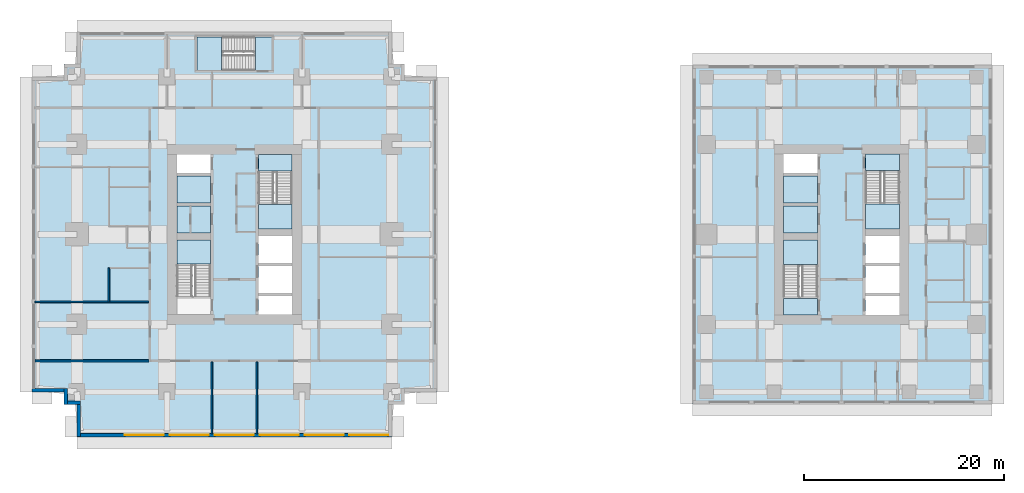
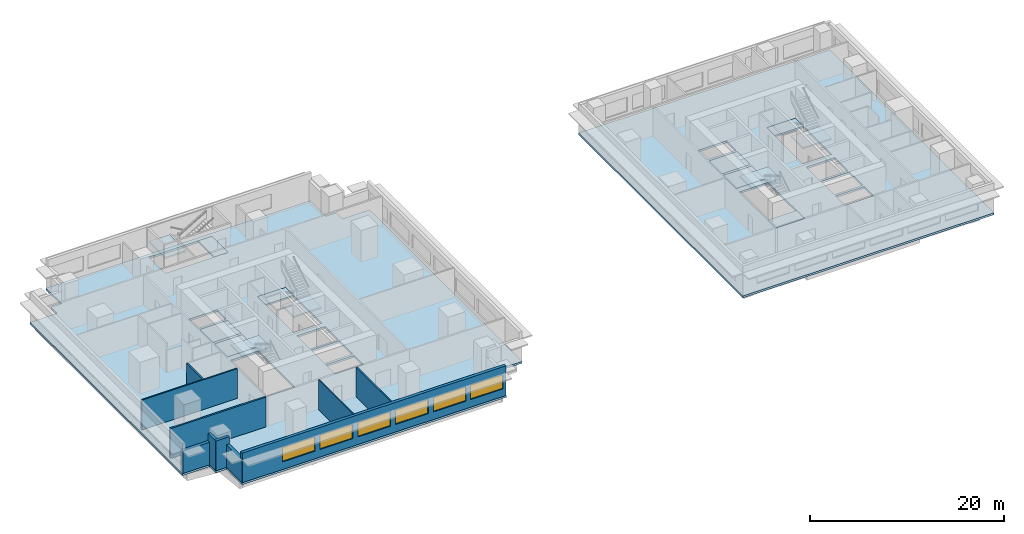
# One storey, part 2 of 11: 15 slabs, 10 walls, 6 windows, 6 openings, 5 elements without a shape of their own.
"""IFC4 building model written with IfcOpenShell, lengths in metres."""

from ifc_helpers import new_model, si_unit, direction, frame, frame_2d, origin, place, context, subcontext, project, spatial, polyline, rectangle, outline, extrude, material, layer, layer_set, type_object, element, fill, aggregate, save


model = new_model("IFC4")

# Units and contexts
model_context = context("Model", 3, precision=1e-05, world=origin(), true_north=direction((0.0, 1.0)))
body_context = subcontext(model_context, "Body", "Model", "MODEL_VIEW")
ifc_project = project(units=[si_unit("LENGTHUNIT", "METRE"), si_unit("AREAUNIT", "SQUARE_METRE"), si_unit("VOLUMEUNIT", "CUBIC_METRE"), si_unit("PLANEANGLEUNIT", "RADIAN"), si_unit("MASSUNIT", "GRAM", prefix="KILO")], contexts=[model_context])

# Site, building, storey
site_placement = place(None, origin())
site = spatial("IfcSite", under=ifc_project, at=site_placement, CompositionType="ELEMENT")
building_placement = place(site_placement, origin())
building = spatial("IfcBuilding", under=site, at=building_placement, Name="Namib Vertical Campus", CompositionType="ELEMENT")
storey_placement = place(building_placement, frame((0.0, 0.0, 189.0)))
storey = spatial("IfcBuildingStorey", under=building, at=storey_placement, Name="L44", CompositionType="ELEMENT", Elevation=189.0)

# Slabs
ifc_material_1 = material(Name="Concrete C40/50", Category="concrete")
ifc_layer_1 = layer(ifc_material_1, 0.25)
ifc_layer_set_1 = layer_set([ifc_layer_1], Name="Concrete C40/50")
slab_type_1 = type_object("IfcSlabType", Name="Floor slab 250", PredefinedType="FLOOR", material=ifc_layer_set_1)
slab_1_placement = place(storey_placement, frame((0.0, 0.0, -0.25)))
element("IfcSlab", 1, at=slab_1_placement, inside=storey, type_object=slab_type_1, Name="Floor slab A L44", PredefinedType="FLOOR", context=body_context, shape_type="SweptSolid", body=[
    extrude(outline(polyline([(4.5, 0.0), (36.0, 0.0), (36.0, 3.22509765625), (37.27490234375, 3.22509765625), (37.27490234375, 4.5), (40.5, 4.5), (40.5, 36.0), (37.27490234375, 36.0), (37.27490234375, 37.27490234375), (36.0, 37.27490234375), (36.0, 40.5), (4.5, 40.5), (4.5, 37.27490234375), (3.22509765625, 37.27490234375), (3.22509765625, 36.0), (0.0, 36.0), (0.0, 4.5), (3.22509765625, 4.5), (3.22509765625, 3.22509765625), (4.5, 3.22509765625), (4.5, 0.0)]), holes=[polyline([(14.5, 12.25), (17.85009765625, 12.25), (17.85009765625, 19.699951171875), (14.5, 19.699951171875), (14.5, 12.25)]), polyline([(22.64990234375, 20.800048828125), (26.0, 20.800048828125), (26.0, 28.25), (22.64990234375, 28.25), (22.64990234375, 20.800048828125)]), polyline([(22.64990234375, 12.25), (26.0, 12.25), (26.0, 14.10009765625), (22.64990234375, 14.10009765625), (22.64990234375, 12.25)]), polyline([(14.5, 20.39990234375), (17.85009765625, 20.39990234375), (17.85009765625, 23.10009765625), (14.5, 23.10009765625), (14.5, 20.39990234375)]), polyline([(14.5, 23.39990234375), (17.85009765625, 23.39990234375), (17.85009765625, 26.10009765625), (14.5, 26.10009765625), (14.5, 23.39990234375)]), polyline([(14.5, 26.39990234375), (17.85009765625, 26.39990234375), (17.85009765625, 28.25), (14.5, 28.25), (14.5, 26.39990234375)]), polyline([(22.64990234375, 14.39990234375), (26.0, 14.39990234375), (26.0, 17.10009765625), (22.64990234375, 17.10009765625), (22.64990234375, 14.39990234375)]), polyline([(22.64990234375, 17.39990234375), (26.0, 17.39990234375), (26.0, 20.10009765625), (22.64990234375, 20.10009765625), (22.64990234375, 17.39990234375)]), polyline([(16.5, 36.64990234375), (24.0, 36.64990234375), (24.0, 40.0), (16.5, 40.0), (16.5, 36.64990234375)])]), origin(), (0.0, 0.0, 1.0), 0.25),
])
slab_2_placement = place(storey_placement, frame((0.0, 0.0, -0.25)))
element("IfcSlab", 2, at=slab_2_placement, inside=storey, type_object=slab_type_1, Name="Floor slab B L44", PredefinedType="FLOOR", context=body_context, shape_type="SweptSolid", body=[
    extrude(outline(polyline([(66.10009765625, 3.300048828125), (96.050048828125, 3.300048828125), (96.050048828125, 37.199951171875), (66.10009765625, 37.199951171875), (66.10009765625, 3.300048828125)]), holes=[polyline([(75.199951171875, 12.199951171875), (78.60009765625, 12.199951171875), (78.60009765625, 19.699951171875), (75.199951171875, 19.699951171875), (75.199951171875, 12.199951171875)]), polyline([(83.39990234375, 20.800048828125), (86.800048828125, 20.800048828125), (86.800048828125, 28.300048828125), (83.39990234375, 28.300048828125), (83.39990234375, 20.800048828125)]), polyline([(83.39990234375, 12.199951171875), (86.800048828125, 12.199951171875), (86.800048828125, 14.10009765625), (83.39990234375, 14.10009765625), (83.39990234375, 12.199951171875)]), polyline([(75.199951171875, 20.39990234375), (78.60009765625, 20.39990234375), (78.60009765625, 23.10009765625), (75.199951171875, 23.10009765625), (75.199951171875, 20.39990234375)]), polyline([(75.199951171875, 23.39990234375), (78.60009765625, 23.39990234375), (78.60009765625, 26.10009765625), (75.199951171875, 26.10009765625), (75.199951171875, 23.39990234375)]), polyline([(75.199951171875, 26.39990234375), (78.60009765625, 26.39990234375), (78.60009765625, 28.300048828125), (75.199951171875, 28.300048828125), (75.199951171875, 26.39990234375)]), polyline([(83.39990234375, 14.39990234375), (86.800048828125, 14.39990234375), (86.800048828125, 17.10009765625), (83.39990234375, 17.10009765625), (83.39990234375, 14.39990234375)]), polyline([(83.39990234375, 17.39990234375), (86.800048828125, 17.39990234375), (86.800048828125, 20.10009765625), (83.39990234375, 20.10009765625), (83.39990234375, 17.39990234375)])]), origin(), (0.0, 0.0, 1.0), 0.25),
])
ifc_material_2 = material(Name="Concrete C40/50 precast", Category="concrete")
ifc_layer_2 = layer(ifc_material_2, 0.25)
ifc_layer_set_2 = layer_set([ifc_layer_2], Name="Concrete C40/50 precast")
slab_type_2 = type_object("IfcSlabType", Name="Shaft infill floor 250", PredefinedType="FLOOR", material=ifc_layer_set_2)
slab_3_placement = place(storey_placement, frame((0.0, 0.0, -0.25)))
element("IfcSlab", 3, at=slab_3_placement, inside=storey, type_object=slab_type_2, Name="Shaft infill floor A L44 P1", PredefinedType="FLOOR", context=body_context, shape_type="SweptSolid", body=[
    extrude(outline(polyline([(14.5, 20.39990234375), (17.85009765625, 20.39990234375), (17.85009765625, 23.10009765625), (14.5, 23.10009765625), (14.5, 20.39990234375)])), origin(), (0.0, 0.0, 1.0), 0.25),
])
slab_4_placement = place(storey_placement, frame((0.0, 0.0, -0.25)))
element("IfcSlab", 4, at=slab_4_placement, inside=storey, type_object=slab_type_2, Name="Shaft infill floor A L44 P2", PredefinedType="FLOOR", context=body_context, shape_type="SweptSolid", body=[
    extrude(outline(polyline([(14.5, 23.39990234375), (17.85009765625, 23.39990234375), (17.85009765625, 26.10009765625), (14.5, 26.10009765625), (14.5, 23.39990234375)])), origin(), (0.0, 0.0, 1.0), 0.25),
])
slab_5_placement = place(storey_placement, frame((0.0, 0.0, -0.25)))
element("IfcSlab", 5, at=slab_5_placement, inside=storey, type_object=slab_type_2, Name="Shaft infill floor B L44 P1", PredefinedType="FLOOR", context=body_context, shape_type="SweptSolid", body=[
    extrude(outline(polyline([(75.199951171875, 20.39990234375), (78.60009765625, 20.39990234375), (78.60009765625, 23.10009765625), (75.199951171875, 23.10009765625), (75.199951171875, 20.39990234375)])), origin(), (0.0, 0.0, 1.0), 0.25),
])
slab_6_placement = place(storey_placement, frame((0.0, 0.0, -0.25)))
element("IfcSlab", 6, at=slab_6_placement, inside=storey, type_object=slab_type_2, Name="Shaft infill floor B L44 P2", PredefinedType="FLOOR", context=body_context, shape_type="SweptSolid", body=[
    extrude(outline(polyline([(75.199951171875, 23.39990234375), (78.60009765625, 23.39990234375), (78.60009765625, 26.10009765625), (75.199951171875, 26.10009765625), (75.199951171875, 23.39990234375)])), origin(), (0.0, 0.0, 1.0), 0.25),
])

# Stair, slab
ifc_material_3 = material(Name="Concrete C40/50 precast", Category="concrete")
stair_type_1 = type_object("IfcStairType", Name="Exit stair 4000 rise 24 risers 3350 wide", PredefinedType="HALF_TURN_STAIR", material=ifc_material_3)
stair_1_placement = place(storey_placement, origin())
stair_1 = element("IfcStair", 7, at=stair_1_placement, inside=storey, type_object=stair_type_1, Name="Exit stair A-S1 L44", PredefinedType="HALF_TURN_STAIR")
ifc_material_4 = material(Name="Concrete C40/50", Category="concrete")
ifc_layer_3 = layer(ifc_material_4, 0.199951171875)
ifc_layer_set_3 = layer_set([ifc_layer_3], Name="Concrete C40/50")
slab_type_3 = type_object("IfcSlabType", Name="Stair landing 200", PredefinedType="LANDING", material=ifc_layer_set_3)
slab_7_placement = place(storey_placement, frame((0.0, 0.0, 1.800048828125)))
slab_7 = element("IfcSlab", 8, at=slab_7_placement, type_object=slab_type_3, Name="A-S1 landing 2", PredefinedType="LANDING", context=body_context, shape_type="SweptSolid", body=[
    extrude(outline(polyline([(14.5, 17.276123046875), (17.85009765625, 17.276123046875), (17.85009765625, 19.699951171875), (14.5, 19.699951171875), (14.5, 17.276123046875)])), origin(), (0.0, 0.0, 1.0), 0.199951171875),
])
aggregate(stair_1, [slab_7])

# Stair, slabs
stair_2_placement = place(storey_placement, origin())
stair_2 = element("IfcStair", 9, at=stair_2_placement, inside=storey, type_object=stair_type_1, Name="Exit stair A-S2 L44", PredefinedType="HALF_TURN_STAIR")
slab_8_placement = place(storey_placement, frame((0.0, 0.0, -0.199951171875)))
slab_8 = element("IfcSlab", 10, at=slab_8_placement, type_object=slab_type_3, Name="A-S2 landing 1", PredefinedType="LANDING", context=body_context, shape_type="SweptSolid", body=[
    extrude(outline(polyline([(22.64990234375, 26.59619140625), (26.0, 26.59619140625), (26.0, 28.25), (22.64990234375, 28.25), (22.64990234375, 26.59619140625)])), origin(), (0.0, 0.0, 1.0), 0.199951171875),
])
slab_9_placement = place(storey_placement, frame((0.0, 0.0, 1.800048828125)))
slab_9 = element("IfcSlab", 11, at=slab_9_placement, type_object=slab_type_3, Name="A-S2 landing 2", PredefinedType="LANDING", context=body_context, shape_type="SweptSolid", body=[
    extrude(outline(polyline([(22.64990234375, 20.800048828125), (26.0, 20.800048828125), (26.0, 23.223876953125), (22.64990234375, 23.223876953125), (22.64990234375, 20.800048828125)])), origin(), (0.0, 0.0, 1.0), 0.199951171875),
])
aggregate(stair_2, [slab_8, slab_9])

ifc_material_5 = material(Name="Concrete C40/50 precast", Category="concrete")
stair_type_2 = type_object("IfcStairType", Name="Exit stair 4000 rise 24 risers 3400 wide", PredefinedType="HALF_TURN_STAIR", material=ifc_material_5)
stair_3_placement = place(storey_placement, origin())
stair_3 = element("IfcStair", 12, at=stair_3_placement, inside=storey, type_object=stair_type_2, Name="Exit stair B-S1 L44", PredefinedType="HALF_TURN_STAIR")
slab_10_placement = place(storey_placement, frame((0.0, 0.0, -0.199951171875)))
slab_10 = element("IfcSlab", 13, at=slab_10_placement, type_object=slab_type_3, Name="B-S1 landing 1", PredefinedType="LANDING", context=body_context, shape_type="SweptSolid", body=[
    extrude(outline(polyline([(75.199951171875, 12.199951171875), (78.60009765625, 12.199951171875), (78.60009765625, 13.85400390625), (75.199951171875, 13.85400390625), (75.199951171875, 12.199951171875)])), origin(), (0.0, 0.0, 1.0), 0.199951171875),
])
slab_11_placement = place(storey_placement, frame((0.0, 0.0, 1.800048828125)))
slab_11 = element("IfcSlab", 14, at=slab_11_placement, type_object=slab_type_3, Name="B-S1 landing 2", PredefinedType="LANDING", context=body_context, shape_type="SweptSolid", body=[
    extrude(outline(polyline([(75.199951171875, 17.22607421875), (78.60009765625, 17.22607421875), (78.60009765625, 19.699951171875), (75.199951171875, 19.699951171875), (75.199951171875, 17.22607421875)])), origin(), (0.0, 0.0, 1.0), 0.199951171875),
])
aggregate(stair_3, [slab_10, slab_11])

stair_4_placement = place(storey_placement, origin())
stair_4 = element("IfcStair", 15, at=stair_4_placement, inside=storey, type_object=stair_type_2, Name="Exit stair B-S2 L44", PredefinedType="HALF_TURN_STAIR")
slab_12_placement = place(storey_placement, frame((0.0, 0.0, -0.199951171875)))
slab_12 = element("IfcSlab", 16, at=slab_12_placement, type_object=slab_type_3, Name="B-S2 landing 1", PredefinedType="LANDING", context=body_context, shape_type="SweptSolid", body=[
    extrude(outline(polyline([(83.39990234375, 26.64599609375), (86.800048828125, 26.64599609375), (86.800048828125, 28.300048828125), (83.39990234375, 28.300048828125), (83.39990234375, 26.64599609375)])), origin(), (0.0, 0.0, 1.0), 0.199951171875),
])
slab_13_placement = place(storey_placement, frame((0.0, 0.0, 1.800048828125)))
slab_13 = element("IfcSlab", 17, at=slab_13_placement, type_object=slab_type_3, Name="B-S2 landing 2", PredefinedType="LANDING", context=body_context, shape_type="SweptSolid", body=[
    extrude(outline(polyline([(83.39990234375, 20.800048828125), (86.800048828125, 20.800048828125), (86.800048828125, 23.27392578125), (83.39990234375, 23.27392578125), (83.39990234375, 20.800048828125)])), origin(), (0.0, 0.0, 1.0), 0.199951171875),
])
aggregate(stair_4, [slab_12, slab_13])

stair_5_placement = place(storey_placement, origin())
stair_5 = element("IfcStair", 18, at=stair_5_placement, inside=storey, type_object=stair_type_1, Name="Exit stair A-S3 L44", PredefinedType="HALF_TURN_STAIR")
slab_14_placement = place(storey_placement, frame((0.0, 0.0, -0.199951171875)))
slab_14 = element("IfcSlab", 19, at=slab_14_placement, type_object=slab_type_3, Name="A-S3 landing 1", PredefinedType="LANDING", context=body_context, shape_type="SweptSolid", body=[
    extrude(outline(polyline([(22.34619140625, 36.64990234375), (22.34619140625, 40.0), (24.0, 40.0), (24.0, 36.64990234375), (22.34619140625, 36.64990234375)])), origin(), (0.0, 0.0, 1.0), 0.199951171875),
])
slab_15_placement = place(storey_placement, frame((0.0, 0.0, 1.800048828125)))
slab_15 = element("IfcSlab", 20, at=slab_15_placement, type_object=slab_type_3, Name="A-S3 landing 2", PredefinedType="LANDING", context=body_context, shape_type="SweptSolid", body=[
    extrude(outline(polyline([(16.5, 36.64990234375), (16.5, 40.0), (18.973876953125, 40.0), (18.973876953125, 36.64990234375), (16.5, 36.64990234375)])), origin(), (0.0, 0.0, 1.0), 0.199951171875),
])
aggregate(stair_5, [slab_14, slab_15])

# Wall
ifc_material_6 = material(Name="Concrete masonry", Category="masonry")
ifc_layer_4 = layer(ifc_material_6, 0.199951171875)
ifc_layer_set_4 = layer_set([ifc_layer_4], Name="Corridor wall 200")
wall_type_1 = type_object("IfcWallType", Name="Corridor wall 200", PredefinedType="SOLIDWALL", material=ifc_layer_set_4)
wall_1_placement = place(storey_placement, frame((0.300048828125, 7.60009765625, 0.0), z_axis=(0.0, 0.0, 1.0), x_axis=(1.0, 0.0, 0.0)))
element("IfcWall", 21, at=wall_1_placement, inside=storey, type_object=wall_type_1, Name="Partition A L44 BSW", PredefinedType="SOLIDWALL", context=body_context, shape_type="SweptSolid", body=[
    extrude(rectangle(XDim=11.39990234375, YDim=0.199951171875, at=frame_2d((5.699951171875, 0.0))), origin(), (0.0, 0.0, 1.0), 3.75),
])

# Wall, openings, windows
ifc_material_7 = material(Name="Concrete C40/50", Category="concrete")
ifc_layer_5 = layer(ifc_material_7, 0.35009765625)
ifc_layer_set_5 = layer_set([ifc_layer_5], Name="Concrete C40/50")
wall_type_2 = type_object("IfcWallType", Name="External wall 350 bush-hammered concrete", PredefinedType="STANDARD", material=ifc_layer_set_5)
wall_2_placement = place(storey_placement, frame((4.52001953125, 0.175048828125, 0.0), z_axis=(0.0, 0.0, 1.0), x_axis=(1.0, 0.0, 0.0)))
wall_2 = element("IfcWall", 22, at=wall_2_placement, inside=storey, type_object=wall_type_2, Name="External wall L44 F01", PredefinedType="STANDARD", context=body_context, shape_type="SweptSolid", body=[
    extrude(rectangle(XDim=31.4599609375, YDim=0.35009765625, at=frame_2d((15.72998046875, 0.0))), origin(), (0.0, 0.0, 1.0), 3.75),
])
opening_1_placement = place(wall_2_placement, frame((4.780029296875, 0.0, 0.949951171875)))
opening_1 = element("IfcOpeningElement", 23, at=opening_1_placement, cuts=wall_2, Name="Opening W3", PredefinedType="OPENING", context=body_context, shape_type="SweptSolid", body=[
    extrude(rectangle(XDim=3.89990234375, YDim=1.800048828125, at=frame_2d((1.949951171875, 0.89990234375))), frame((0.0, 0.18505859375, 0.0), z_axis=(0.0, -1.0, 0.0), x_axis=(1.0, 0.0, 0.0)), (0.0, 0.0, 1.0), 0.3701171875),
])
opening_2_placement = place(wall_2_placement, frame((9.280029296875, 0.0, 0.949951171875)))
opening_2 = element("IfcOpeningElement", 24, at=opening_2_placement, cuts=wall_2, Name="Opening W3", PredefinedType="OPENING", context=body_context, shape_type="SweptSolid", body=[
    extrude(rectangle(XDim=3.89990234375, YDim=1.800048828125, at=frame_2d((1.949951171875, 0.89990234375))), frame((0.0, 0.18505859375, 0.0), z_axis=(0.0, -1.0, 0.0), x_axis=(1.0, 0.0, 0.0)), (0.0, 0.0, 1.0), 0.3701171875),
])
opening_3_placement = place(wall_2_placement, frame((13.780029296875, 0.0, 0.949951171875)))
opening_3 = element("IfcOpeningElement", 25, at=opening_3_placement, cuts=wall_2, Name="Opening W3", PredefinedType="OPENING", context=body_context, shape_type="SweptSolid", body=[
    extrude(rectangle(XDim=3.89990234375, YDim=1.800048828125, at=frame_2d((1.949951171875, 0.89990234375))), frame((0.0, 0.18505859375, 0.0), z_axis=(0.0, -1.0, 0.0), x_axis=(1.0, 0.0, 0.0)), (0.0, 0.0, 1.0), 0.3701171875),
])
opening_4_placement = place(wall_2_placement, frame((18.280029296875, 0.0, 0.949951171875)))
opening_4 = element("IfcOpeningElement", 26, at=opening_4_placement, cuts=wall_2, Name="Opening W3", PredefinedType="OPENING", context=body_context, shape_type="SweptSolid", body=[
    extrude(rectangle(XDim=3.89990234375, YDim=1.800048828125, at=frame_2d((1.949951171875, 0.89990234375))), frame((0.0, 0.18505859375, 0.0), z_axis=(0.0, -1.0, 0.0), x_axis=(1.0, 0.0, 0.0)), (0.0, 0.0, 1.0), 0.3701171875),
])
opening_5_placement = place(wall_2_placement, frame((22.780029296875, 0.0, 0.949951171875)))
opening_5 = element("IfcOpeningElement", 27, at=opening_5_placement, cuts=wall_2, Name="Opening W3", PredefinedType="OPENING", context=body_context, shape_type="SweptSolid", body=[
    extrude(rectangle(XDim=3.89990234375, YDim=1.800048828125, at=frame_2d((1.949951171875, 0.89990234375))), frame((0.0, 0.18505859375, 0.0), z_axis=(0.0, -1.0, 0.0), x_axis=(1.0, 0.0, 0.0)), (0.0, 0.0, 1.0), 0.3701171875),
])
opening_6_placement = place(wall_2_placement, frame((27.2099609375, 0.0, 0.949951171875)))
opening_6 = element("IfcOpeningElement", 28, at=opening_6_placement, cuts=wall_2, Name="Opening W3", PredefinedType="OPENING", context=body_context, shape_type="SweptSolid", body=[
    extrude(rectangle(XDim=3.89990234375, YDim=1.800048828125, at=frame_2d((1.949951171875, 0.89990234375))), frame((0.0, 0.18505859375, 0.0), z_axis=(0.0, -1.0, 0.0), x_axis=(1.0, 0.0, 0.0)), (0.0, 0.0, 1.0), 0.3701171875),
])
ifc_material_8 = material(Name="Dark tinted glass in black aluminium frame", Category="aluminium")
window_type = type_object("IfcWindowType", Name="Ribbon window 3900x1800", PartitioningType="SINGLE_PANEL", PredefinedType="WINDOW", material=ifc_material_8)
window_1_placement = place(opening_1_placement, origin())
window_1 = element("IfcWindow", 29, at=window_1_placement, inside=storey, type_object=window_type, Name="Window W3 L44 F01-2", OverallHeight=1.800048828125, OverallWidth=3.89990234375, PartitioningType="SINGLE_PANEL", PredefinedType="WINDOW", context=body_context, shape_type="SweptSolid", body=[
    extrude(rectangle(XDim=3.89990234375, YDim=1.800048828125, at=frame_2d((1.949951171875, 0.89990234375))), frame((0.0, 0.030029296875, 0.0), z_axis=(0.0, -1.0, 0.0), x_axis=(1.0, 0.0, 0.0)), (0.0, 0.0, 1.0), 0.06005859375),
])
fill(opening_1, window_1)
window_2_placement = place(opening_2_placement, origin())
window_2 = element("IfcWindow", 30, at=window_2_placement, inside=storey, type_object=window_type, Name="Window W3 L44 F01-3", OverallHeight=1.800048828125, OverallWidth=3.89990234375, PartitioningType="SINGLE_PANEL", PredefinedType="WINDOW", context=body_context, shape_type="SweptSolid", body=[
    extrude(rectangle(XDim=3.89990234375, YDim=1.800048828125, at=frame_2d((1.949951171875, 0.89990234375))), frame((0.0, 0.030029296875, 0.0), z_axis=(0.0, -1.0, 0.0), x_axis=(1.0, 0.0, 0.0)), (0.0, 0.0, 1.0), 0.06005859375),
])
fill(opening_2, window_2)
window_3_placement = place(opening_3_placement, origin())
window_3 = element("IfcWindow", 31, at=window_3_placement, inside=storey, type_object=window_type, Name="Window W3 L44 F01-4", OverallHeight=1.800048828125, OverallWidth=3.89990234375, PartitioningType="SINGLE_PANEL", PredefinedType="WINDOW", context=body_context, shape_type="SweptSolid", body=[
    extrude(rectangle(XDim=3.89990234375, YDim=1.800048828125, at=frame_2d((1.949951171875, 0.89990234375))), frame((0.0, 0.030029296875, 0.0), z_axis=(0.0, -1.0, 0.0), x_axis=(1.0, 0.0, 0.0)), (0.0, 0.0, 1.0), 0.06005859375),
])
fill(opening_3, window_3)
window_4_placement = place(opening_4_placement, origin())
window_4 = element("IfcWindow", 32, at=window_4_placement, inside=storey, type_object=window_type, Name="Window W3 L44 F01-5", OverallHeight=1.800048828125, OverallWidth=3.89990234375, PartitioningType="SINGLE_PANEL", PredefinedType="WINDOW", context=body_context, shape_type="SweptSolid", body=[
    extrude(rectangle(XDim=3.89990234375, YDim=1.800048828125, at=frame_2d((1.949951171875, 0.89990234375))), frame((0.0, 0.030029296875, 0.0), z_axis=(0.0, -1.0, 0.0), x_axis=(1.0, 0.0, 0.0)), (0.0, 0.0, 1.0), 0.06005859375),
])
fill(opening_4, window_4)
window_5_placement = place(opening_5_placement, origin())
window_5 = element("IfcWindow", 33, at=window_5_placement, inside=storey, type_object=window_type, Name="Window W3 L44 F01-6", OverallHeight=1.800048828125, OverallWidth=3.89990234375, PartitioningType="SINGLE_PANEL", PredefinedType="WINDOW", context=body_context, shape_type="SweptSolid", body=[
    extrude(rectangle(XDim=3.89990234375, YDim=1.800048828125, at=frame_2d((1.949951171875, 0.89990234375))), frame((0.0, 0.030029296875, 0.0), z_axis=(0.0, -1.0, 0.0), x_axis=(1.0, 0.0, 0.0)), (0.0, 0.0, 1.0), 0.06005859375),
])
fill(opening_5, window_5)
window_6_placement = place(opening_6_placement, origin())
window_6 = element("IfcWindow", 34, at=window_6_placement, inside=storey, type_object=window_type, Name="Window W3 L44 F01-7", OverallHeight=1.800048828125, OverallWidth=3.89990234375, PartitioningType="SINGLE_PANEL", PredefinedType="WINDOW", context=body_context, shape_type="SweptSolid", body=[
    extrude(rectangle(XDim=3.89990234375, YDim=1.800048828125, at=frame_2d((1.949951171875, 0.89990234375))), frame((0.0, 0.030029296875, 0.0), z_axis=(0.0, -1.0, 0.0), x_axis=(1.0, 0.0, 0.0)), (0.0, 0.0, 1.0), 0.06005859375),
])
fill(opening_6, window_6)

# Walls
wall_3_placement = place(storey_placement, frame((0.02001953125, 4.675048828125, 0.0), z_axis=(0.0, 0.0, 1.0), x_axis=(1.0, 0.0, 0.0)))
element("IfcWall", 35, at=wall_3_placement, inside=storey, type_object=wall_type_2, Name="External wall L44 F17", PredefinedType="STANDARD", context=body_context, shape_type="SweptSolid", body=[
    extrude(rectangle(XDim=3.534912109375, YDim=0.35009765625, at=frame_2d((1.767578125, 0.0))), origin(), (0.0, 0.0, 1.0), 2.85009765625),
])
for number, where, z_axis, x_axis, name in (
    (36, (3.39990234375, 4.830078125, 0.0), (0.0, 0.0, 1.0), (0.0, -1.0, 0.0), "External wall L44 F18"),
    (37, (3.2451171875, 3.39990234375, 0.0), (0.0, 0.0, 1.0), (1.0, 0.0, 0.0), "External wall L44 F19"),
):
    element("IfcWall", number, at=place(storey_placement, frame(where, z_axis=z_axis, x_axis=x_axis)), inside=storey, type_object=wall_type_2, Name=name, PredefinedType="STANDARD", context=body_context, shape_type="SweptSolid", body=[
        extrude(rectangle(XDim=1.5849609375, YDim=0.35009765625, at=frame_2d((0.79248046875, 0.0))), origin(), (0.0, 0.0, 1.0), 3.75),
    ])
wall_4_placement = place(storey_placement, frame((4.675048828125, 3.554931640625, 0.0), z_axis=(0.0, 0.0, 1.0), x_axis=(0.0, -1.0, 0.0)))
element("IfcWall", 38, at=wall_4_placement, inside=storey, type_object=wall_type_2, Name="External wall L44 F20", PredefinedType="STANDARD", context=body_context, shape_type="SweptSolid", body=[
    extrude(rectangle(XDim=3.534912109375, YDim=0.35009765625, at=frame_2d((1.767578125, 0.0))), origin(), (0.0, 0.0, 1.0), 2.85009765625),
])
ifc_material_9 = material(Name="Gypsum board on steel studs", Category="steel")
ifc_layer_6 = layer(ifc_material_9, 0.14990234375)
ifc_layer_set_6 = layer_set([ifc_layer_6], Name="Gypsum board on steel studs")
wall_type_3 = type_object("IfcWallType", Name="Partition 150", PredefinedType="PARTITIONING", material=ifc_layer_set_6)
for number, where, z_axis, x_axis, name in (
    (39, (18.0, 0.300048828125, 0.0), (0.0, 0.0, 1.0), (0.0, 1.0, 0.0), "Partition A L44 PS1"),
    (40, (22.5, 0.300048828125, 0.0), (0.0, 0.0, 1.0), (0.0, 1.0, 0.0), "Partition A L44 PS2"),
):
    element("IfcWall", number, at=place(storey_placement, frame(where, z_axis=z_axis, x_axis=x_axis)), inside=storey, type_object=wall_type_3, Name=name, PredefinedType="PARTITIONING", context=body_context, shape_type="SweptSolid", body=[
        extrude(rectangle(XDim=7.199951171875, YDim=0.14990234375, at=frame_2d((3.60009765625, 0.0))), origin(), (0.0, 0.0, 1.0), 3.75),
    ])
wall_5_placement = place(storey_placement, frame((0.300048828125, 13.5, 0.0), z_axis=(0.0, 0.0, 1.0), x_axis=(1.0, 0.0, 0.0)))
element("IfcWall", 41, at=wall_5_placement, inside=storey, type_object=wall_type_3, Name="Partition A L44 PW1", PredefinedType="PARTITIONING", context=body_context, shape_type="SweptSolid", body=[
    extrude(rectangle(XDim=11.39990234375, YDim=0.14990234375, at=frame_2d((5.699951171875, 0.0))), origin(), (0.0, 0.0, 1.0), 3.75),
])
wall_6_placement = place(storey_placement, frame((7.699951171875, 13.5, 0.0), z_axis=(0.0, 0.0, 1.0), x_axis=(0.0, 1.0, 0.0)))
element("IfcWall", 42, at=wall_6_placement, inside=storey, type_object=wall_type_3, Name="Partition A L44 WB1", PredefinedType="PARTITIONING", context=body_context, shape_type="SweptSolid", body=[
    extrude(rectangle(XDim=3.39990234375, YDim=0.14990234375, at=frame_2d((1.699951171875, 0.0))), origin(), (0.0, 0.0, 1.0), 3.75),
])

save(model, "model.ifc")
